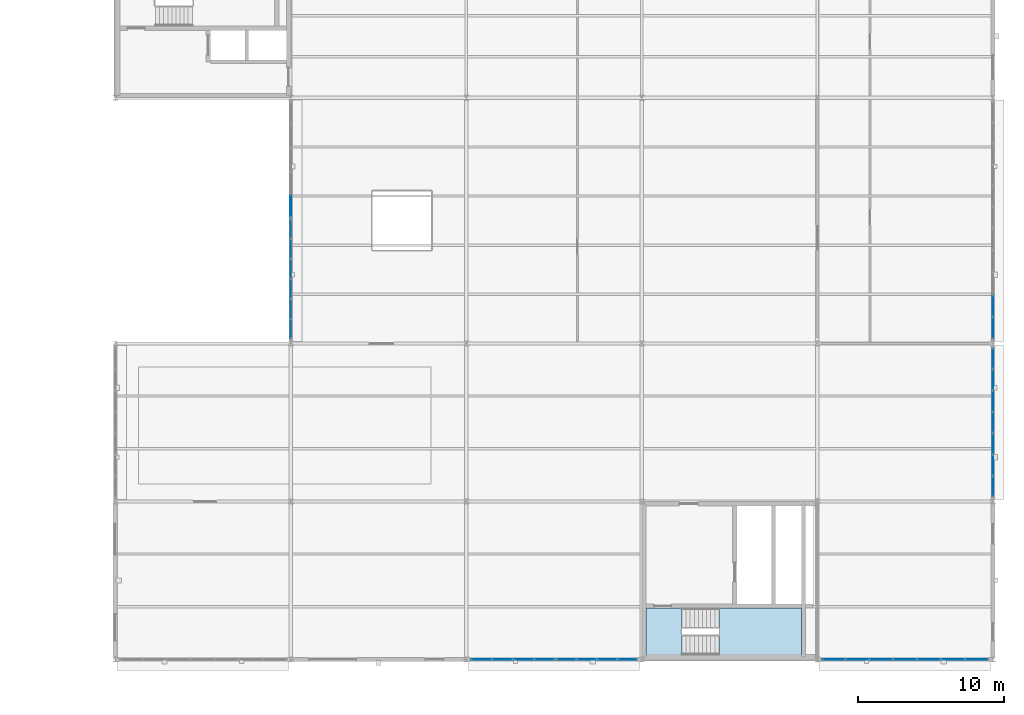
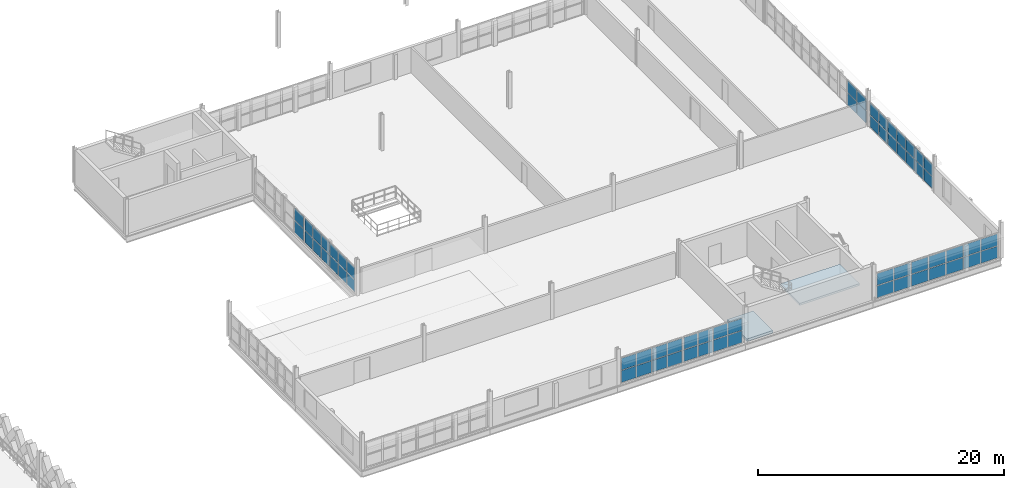
# One storey, part 51 of 79: 62 plates, 2 slabs, 8 elements without a shape of their own.
"""IFC4 building model written with IfcOpenShell, lengths in metres."""

from ifc_helpers import new_model, si_unit, direction, frame, origin, origin_2d, place, context, subcontext, project, spatial, polyline, rectangle, outline, extrude, material, layer, layer_set, type_object, element, aggregate, save


model = new_model("IFC4")

# Units and contexts
model_context = context("Model", 3, precision=1e-05, world=origin(), true_north=direction((0.0, 1.0)))
body_context = subcontext(model_context, "Body", "Model", "MODEL_VIEW")
ifc_project = project(units=[si_unit("LENGTHUNIT", "METRE"), si_unit("AREAUNIT", "SQUARE_METRE"), si_unit("VOLUMEUNIT", "CUBIC_METRE"), si_unit("PLANEANGLEUNIT", "RADIAN"), si_unit("MASSUNIT", "GRAM", prefix="KILO"), si_unit("THERMODYNAMICTEMPERATUREUNIT", "KELVIN"), si_unit("POWERUNIT", "WATT")], contexts=[model_context])

# Site, building, storey
site_placement = place(None, origin())
site = spatial("IfcSite", under=ifc_project, at=site_placement, CompositionType="ELEMENT")
building_placement = place(site_placement, origin())
building = spatial("IfcBuilding", under=site, at=building_placement, Name="Tembeka Court Mobility Hub", CompositionType="ELEMENT")
storey_placement = place(building_placement, frame((0.0, 0.0, 9.0)))
storey = spatial("IfcBuildingStorey", under=building, at=storey_placement, Name="L02", CompositionType="ELEMENT", Elevation=9.0)

# Curtain wall, plates
ifc_material_1 = material(Name="Anodised aluminium 6063-T6", Category="aluminium")
ifc_layer_1 = layer(ifc_material_1, 0.159912109375)
ifc_layer_set_1 = layer_set([ifc_layer_1], Name="Anodised aluminium 6063-T6")
curtain_wall_type_1 = type_object("IfcCurtainWallType", Name="CW-SYS50", PredefinedType="USERDEFINED", material=ifc_layer_set_1)
curtain_wall_1_placement = place(storey_placement, origin())
curtain_wall_1 = element("IfcCurtainWall", 1, at=curtain_wall_1_placement, inside=storey, type_object=curtain_wall_type_1, Name="Unitised curtain wall CW50 (CW-L02-121)", ObjectType="UNITISED GLAZING", PredefinedType="USERDEFINED")
ifc_material_2 = material(Name="Laminated solar-control low-E glass", Category="glass")
ifc_layer_2 = layer(ifc_material_2, 0.028076171875)
ifc_layer_set_2 = layer_set([ifc_layer_2], Name="Laminated solar-control low-E glass")
plate_type_1 = type_object("IfcPlateType", Name="PL-CW01", PredefinedType="CURTAIN_PANEL", material=ifc_layer_set_2)
plate_1_placement = place(storey_placement, frame((147.253662109375, 0.0, 0.06494140625), z_axis=(0.0, 0.0, 1.0), x_axis=(1.0, 0.0, 0.0)))
plate_1 = element("IfcPlate", 2, at=plate_1_placement, type_object=plate_type_1, Name="CW50 panel 1.1", PredefinedType="CURTAIN_PANEL", context=body_context, shape_type="SweptSolid", body=[
    extrude(rectangle(XDim=1.297607421875, YDim=0.028076171875, at=origin_2d()), origin(), (0.0, 0.0, 1.0), 1.169921875),
])
plate_2_placement = place(storey_placement, frame((147.253662109375, 0.0, 1.300048828125), z_axis=(0.0, 0.0, 1.0), x_axis=(1.0, 0.0, 0.0)))
plate_2 = element("IfcPlate", 3, at=plate_2_placement, type_object=plate_type_1, Name="CW50 panel 1.2", PredefinedType="CURTAIN_PANEL", context=body_context, shape_type="SweptSolid", body=[
    extrude(rectangle(XDim=1.297607421875, YDim=0.028076171875, at=origin_2d()), origin(), (0.0, 0.0, 1.0), 1.169921875),
])
plate_3_placement = place(storey_placement, frame((148.632568359375, 0.0, 0.06494140625), z_axis=(0.0, 0.0, 1.0), x_axis=(1.0, 0.0, 0.0)))
plate_3 = element("IfcPlate", 4, at=plate_3_placement, type_object=plate_type_1, Name="CW50 panel 2.1", PredefinedType="CURTAIN_PANEL", context=body_context, shape_type="SweptSolid", body=[
    extrude(rectangle(XDim=1.330078125, YDim=0.028076171875, at=origin_2d()), origin(), (0.0, 0.0, 1.0), 1.169921875),
])
plate_4_placement = place(storey_placement, frame((148.632568359375, 0.0, 1.300048828125), z_axis=(0.0, 0.0, 1.0), x_axis=(1.0, 0.0, 0.0)))
plate_4 = element("IfcPlate", 5, at=plate_4_placement, type_object=plate_type_1, Name="CW50 panel 2.2", PredefinedType="CURTAIN_PANEL", context=body_context, shape_type="SweptSolid", body=[
    extrude(rectangle(XDim=1.330078125, YDim=0.028076171875, at=origin_2d()), origin(), (0.0, 0.0, 1.0), 1.169921875),
])
plate_5_placement = place(storey_placement, frame((150.027587890625, 0.0, 0.06494140625), z_axis=(0.0, 0.0, 1.0), x_axis=(1.0, 0.0, 0.0)))
plate_5 = element("IfcPlate", 6, at=plate_5_placement, type_object=plate_type_1, Name="CW50 panel 3.1", PredefinedType="CURTAIN_PANEL", context=body_context, shape_type="SweptSolid", body=[
    extrude(rectangle(XDim=1.330078125, YDim=0.028076171875, at=origin_2d()), origin(), (0.0, 0.0, 1.0), 1.169921875),
])
plate_6_placement = place(storey_placement, frame((150.027587890625, 0.0, 1.300048828125), z_axis=(0.0, 0.0, 1.0), x_axis=(1.0, 0.0, 0.0)))
plate_6 = element("IfcPlate", 7, at=plate_6_placement, type_object=plate_type_1, Name="CW50 panel 3.2", PredefinedType="CURTAIN_PANEL", context=body_context, shape_type="SweptSolid", body=[
    extrude(rectangle(XDim=1.330078125, YDim=0.028076171875, at=origin_2d()), origin(), (0.0, 0.0, 1.0), 1.169921875),
])
plate_7_placement = place(storey_placement, frame((151.40625, 0.0, 0.06494140625), z_axis=(0.0, 0.0, 1.0), x_axis=(1.0, 0.0, 0.0)))
plate_7 = element("IfcPlate", 8, at=plate_7_placement, type_object=plate_type_1, Name="CW50 panel 4.1", PredefinedType="CURTAIN_PANEL", context=body_context, shape_type="SweptSolid", body=[
    extrude(rectangle(XDim=1.297607421875, YDim=0.028076171875, at=origin_2d()), origin(), (0.0, 0.0, 1.0), 1.169921875),
])
plate_8_placement = place(storey_placement, frame((151.40625, 0.0, 1.300048828125), z_axis=(0.0, 0.0, 1.0), x_axis=(1.0, 0.0, 0.0)))
plate_8 = element("IfcPlate", 9, at=plate_8_placement, type_object=plate_type_1, Name="CW50 panel 4.2", PredefinedType="CURTAIN_PANEL", context=body_context, shape_type="SweptSolid", body=[
    extrude(rectangle(XDim=1.297607421875, YDim=0.028076171875, at=origin_2d()), origin(), (0.0, 0.0, 1.0), 1.169921875),
])
aggregate(curtain_wall_1, [plate_1, plate_2, plate_3, plate_4, plate_5, plate_6, plate_7, plate_8])

ifc_layer_3 = layer(ifc_material_1, 0.159912109375)
ifc_layer_set_3 = layer_set([ifc_layer_3], Name="Anodised aluminium 6063-T6")
curtain_wall_type_2 = type_object("IfcCurtainWallType", Name="CW-SYS41", PredefinedType="USERDEFINED", material=ifc_layer_set_3)
curtain_wall_2_placement = place(storey_placement, origin())
curtain_wall_2 = element("IfcCurtainWall", 10, at=curtain_wall_2_placement, inside=storey, type_object=curtain_wall_type_2, Name="Unitised curtain wall CW41 (CW-L02-122)", ObjectType="UNITISED GLAZING", PredefinedType="USERDEFINED")
plate_9_placement = place(storey_placement, frame((165.513427734375, 0.0, 0.06494140625), z_axis=(0.0, 0.0, 1.0), x_axis=(1.0, 0.0, 0.0)))
plate_9 = element("IfcPlate", 11, at=plate_9_placement, type_object=plate_type_1, Name="CW41 panel 1.1", PredefinedType="CURTAIN_PANEL", context=body_context, shape_type="SweptSolid", body=[
    extrude(rectangle(XDim=1.536865234375, YDim=0.028076171875, at=origin_2d()), origin(), (0.0, 0.0, 1.0), 1.169921875),
])
plate_10_placement = place(storey_placement, frame((165.513427734375, 0.0, 1.300048828125), z_axis=(0.0, 0.0, 1.0), x_axis=(1.0, 0.0, 0.0)))
plate_10 = element("IfcPlate", 12, at=plate_10_placement, type_object=plate_type_1, Name="CW41 panel 1.2", PredefinedType="CURTAIN_PANEL", context=body_context, shape_type="SweptSolid", body=[
    extrude(rectangle(XDim=1.536865234375, YDim=0.028076171875, at=origin_2d()), origin(), (0.0, 0.0, 1.0), 1.169921875),
])
plate_11_placement = place(storey_placement, frame((167.13134765625, 0.0, 0.06494140625), z_axis=(0.0, 0.0, 1.0), x_axis=(1.0, 0.0, 0.0)))
plate_11 = element("IfcPlate", 13, at=plate_11_placement, type_object=plate_type_1, Name="CW41 panel 2.1", PredefinedType="CURTAIN_PANEL", context=body_context, shape_type="SweptSolid", body=[
    extrude(rectangle(XDim=1.5693359375, YDim=0.028076171875, at=origin_2d()), origin(), (0.0, 0.0, 1.0), 1.169921875),
])
plate_12_placement = place(storey_placement, frame((167.13134765625, 0.0, 1.300048828125), z_axis=(0.0, 0.0, 1.0), x_axis=(1.0, 0.0, 0.0)))
plate_12 = element("IfcPlate", 14, at=plate_12_placement, type_object=plate_type_1, Name="CW41 panel 2.2", PredefinedType="CURTAIN_PANEL", context=body_context, shape_type="SweptSolid", body=[
    extrude(rectangle(XDim=1.5693359375, YDim=0.028076171875, at=origin_2d()), origin(), (0.0, 0.0, 1.0), 1.169921875),
])
plate_13_placement = place(storey_placement, frame((168.765625, 0.0, 0.06494140625), z_axis=(0.0, 0.0, 1.0), x_axis=(1.0, 0.0, 0.0)))
plate_13 = element("IfcPlate", 15, at=plate_13_placement, type_object=plate_type_1, Name="CW41 panel 3.1", PredefinedType="CURTAIN_PANEL", context=body_context, shape_type="SweptSolid", body=[
    extrude(rectangle(XDim=1.5693359375, YDim=0.028076171875, at=origin_2d()), origin(), (0.0, 0.0, 1.0), 1.169921875),
])
plate_14_placement = place(storey_placement, frame((168.765625, 0.0, 1.300048828125), z_axis=(0.0, 0.0, 1.0), x_axis=(1.0, 0.0, 0.0)))
plate_14 = element("IfcPlate", 16, at=plate_14_placement, type_object=plate_type_1, Name="CW41 panel 3.2", PredefinedType="CURTAIN_PANEL", context=body_context, shape_type="SweptSolid", body=[
    extrude(rectangle(XDim=1.5693359375, YDim=0.028076171875, at=origin_2d()), origin(), (0.0, 0.0, 1.0), 1.169921875),
])
plate_15_placement = place(storey_placement, frame((170.39990234375, 0.0, 0.06494140625), z_axis=(0.0, 0.0, 1.0), x_axis=(1.0, 0.0, 0.0)))
plate_15 = element("IfcPlate", 17, at=plate_15_placement, type_object=plate_type_1, Name="CW41 panel 4.1", PredefinedType="CURTAIN_PANEL", context=body_context, shape_type="SweptSolid", body=[
    extrude(rectangle(XDim=1.5693359375, YDim=0.028076171875, at=origin_2d()), origin(), (0.0, 0.0, 1.0), 1.169921875),
])
plate_16_placement = place(storey_placement, frame((170.39990234375, 0.0, 1.300048828125), z_axis=(0.0, 0.0, 1.0), x_axis=(1.0, 0.0, 0.0)))
plate_16 = element("IfcPlate", 18, at=plate_16_placement, type_object=plate_type_1, Name="CW41 panel 4.2", PredefinedType="CURTAIN_PANEL", context=body_context, shape_type="SweptSolid", body=[
    extrude(rectangle(XDim=1.5693359375, YDim=0.028076171875, at=origin_2d()), origin(), (0.0, 0.0, 1.0), 1.169921875),
])
plate_17_placement = place(storey_placement, frame((172.0341796875, 0.0, 0.06494140625), z_axis=(0.0, 0.0, 1.0), x_axis=(1.0, 0.0, 0.0)))
plate_17 = element("IfcPlate", 19, at=plate_17_placement, type_object=plate_type_1, Name="CW41 panel 5.1", PredefinedType="CURTAIN_PANEL", context=body_context, shape_type="SweptSolid", body=[
    extrude(rectangle(XDim=1.5693359375, YDim=0.028076171875, at=origin_2d()), origin(), (0.0, 0.0, 1.0), 1.169921875),
])
plate_18_placement = place(storey_placement, frame((172.0341796875, 0.0, 1.300048828125), z_axis=(0.0, 0.0, 1.0), x_axis=(1.0, 0.0, 0.0)))
plate_18 = element("IfcPlate", 20, at=plate_18_placement, type_object=plate_type_1, Name="CW41 panel 5.2", PredefinedType="CURTAIN_PANEL", context=body_context, shape_type="SweptSolid", body=[
    extrude(rectangle(XDim=1.5693359375, YDim=0.028076171875, at=origin_2d()), origin(), (0.0, 0.0, 1.0), 1.169921875),
])
plate_19_placement = place(storey_placement, frame((173.66845703125, 0.0, 0.06494140625), z_axis=(0.0, 0.0, 1.0), x_axis=(1.0, 0.0, 0.0)))
plate_19 = element("IfcPlate", 21, at=plate_19_placement, type_object=plate_type_1, Name="CW41 panel 6.1", PredefinedType="CURTAIN_PANEL", context=body_context, shape_type="SweptSolid", body=[
    extrude(rectangle(XDim=1.5693359375, YDim=0.028076171875, at=origin_2d()), origin(), (0.0, 0.0, 1.0), 1.169921875),
])
plate_20_placement = place(storey_placement, frame((173.66845703125, 0.0, 1.300048828125), z_axis=(0.0, 0.0, 1.0), x_axis=(1.0, 0.0, 0.0)))
plate_20 = element("IfcPlate", 22, at=plate_20_placement, type_object=plate_type_1, Name="CW41 panel 6.2", PredefinedType="CURTAIN_PANEL", context=body_context, shape_type="SweptSolid", body=[
    extrude(rectangle(XDim=1.5693359375, YDim=0.028076171875, at=origin_2d()), origin(), (0.0, 0.0, 1.0), 1.169921875),
])
plate_21_placement = place(storey_placement, frame((175.28662109375, 0.0, 0.06494140625), z_axis=(0.0, 0.0, 1.0), x_axis=(1.0, 0.0, 0.0)))
plate_21 = element("IfcPlate", 23, at=plate_21_placement, type_object=plate_type_1, Name="CW41 panel 7.1", PredefinedType="CURTAIN_PANEL", context=body_context, shape_type="SweptSolid", body=[
    extrude(rectangle(XDim=1.536865234375, YDim=0.028076171875, at=origin_2d()), origin(), (0.0, 0.0, 1.0), 1.169921875),
])
plate_22_placement = place(storey_placement, frame((175.28662109375, 0.0, 1.300048828125), z_axis=(0.0, 0.0, 1.0), x_axis=(1.0, 0.0, 0.0)))
plate_22 = element("IfcPlate", 24, at=plate_22_placement, type_object=plate_type_1, Name="CW41 panel 7.2", PredefinedType="CURTAIN_PANEL", context=body_context, shape_type="SweptSolid", body=[
    extrude(rectangle(XDim=1.536865234375, YDim=0.028076171875, at=origin_2d()), origin(), (0.0, 0.0, 1.0), 1.169921875),
])
aggregate(curtain_wall_2, [plate_9, plate_10, plate_11, plate_12, plate_13, plate_14, plate_15, plate_16, plate_17, plate_18, plate_19, plate_20, plate_21, plate_22])

ifc_layer_4 = layer(ifc_material_1, 0.159912109375)
ifc_layer_set_4 = layer_set([ifc_layer_4], Name="Anodised aluminium 6063-T6")
curtain_wall_type_3 = type_object("IfcCurtainWallType", Name="CW-SYS42", PredefinedType="USERDEFINED", material=ifc_layer_set_4)
curtain_wall_3_placement = place(storey_placement, origin())
curtain_wall_3 = element("IfcCurtainWall", 25, at=curtain_wall_3_placement, inside=storey, type_object=curtain_wall_type_3, Name="Unitised curtain wall CW42 (CW-L02-123)", ObjectType="UNITISED GLAZING", PredefinedType="USERDEFINED")
plate_23_placement = place(storey_placement, frame((176.39990234375, 11.82763671875, 0.06494140625), z_axis=(0.0, 0.0, 1.0), x_axis=(0.0, 1.0, 0.0)))
plate_23 = element("IfcPlate", 26, at=plate_23_placement, type_object=plate_type_1, Name="CW42 panel 1.1", PredefinedType="CURTAIN_PANEL", context=body_context, shape_type="SweptSolid", body=[
    extrude(rectangle(XDim=1.365478515625, YDim=0.028076171875, at=origin_2d()), origin(), (0.0, 0.0, 1.0), 1.169921875),
])
plate_24_placement = place(storey_placement, frame((176.39990234375, 11.82763671875, 1.300048828125), z_axis=(0.0, 0.0, 1.0), x_axis=(0.0, 1.0, 0.0)))
plate_24 = element("IfcPlate", 27, at=plate_24_placement, type_object=plate_type_1, Name="CW42 panel 1.2", PredefinedType="CURTAIN_PANEL", context=body_context, shape_type="SweptSolid", body=[
    extrude(rectangle(XDim=1.365478515625, YDim=0.028076171875, at=origin_2d()), origin(), (0.0, 0.0, 1.0), 1.169921875),
])
plate_25_placement = place(storey_placement, frame((176.39990234375, 13.274169921875, 0.06494140625), z_axis=(0.0, 0.0, 1.0), x_axis=(0.0, 1.0, 0.0)))
plate_25 = element("IfcPlate", 28, at=plate_25_placement, type_object=plate_type_1, Name="CW42 panel 2.1", PredefinedType="CURTAIN_PANEL", context=body_context, shape_type="SweptSolid", body=[
    extrude(rectangle(XDim=1.39794921875, YDim=0.028076171875, at=origin_2d()), origin(), (0.0, 0.0, 1.0), 1.169921875),
])
plate_26_placement = place(storey_placement, frame((176.39990234375, 13.274169921875, 1.300048828125), z_axis=(0.0, 0.0, 1.0), x_axis=(0.0, 1.0, 0.0)))
plate_26 = element("IfcPlate", 29, at=plate_26_placement, type_object=plate_type_1, Name="CW42 panel 2.2", PredefinedType="CURTAIN_PANEL", context=body_context, shape_type="SweptSolid", body=[
    extrude(rectangle(XDim=1.39794921875, YDim=0.028076171875, at=origin_2d()), origin(), (0.0, 0.0, 1.0), 1.169921875),
])
plate_27_placement = place(storey_placement, frame((176.39990234375, 14.737060546875, 0.06494140625), z_axis=(0.0, 0.0, 1.0), x_axis=(0.0, 1.0, 0.0)))
plate_27 = element("IfcPlate", 30, at=plate_27_placement, type_object=plate_type_1, Name="CW42 panel 3.1", PredefinedType="CURTAIN_PANEL", context=body_context, shape_type="SweptSolid", body=[
    extrude(rectangle(XDim=1.39794921875, YDim=0.028076171875, at=origin_2d()), origin(), (0.0, 0.0, 1.0), 1.169921875),
])
plate_28_placement = place(storey_placement, frame((176.39990234375, 14.737060546875, 1.300048828125), z_axis=(0.0, 0.0, 1.0), x_axis=(0.0, 1.0, 0.0)))
plate_28 = element("IfcPlate", 31, at=plate_28_placement, type_object=plate_type_1, Name="CW42 panel 3.2", PredefinedType="CURTAIN_PANEL", context=body_context, shape_type="SweptSolid", body=[
    extrude(rectangle(XDim=1.39794921875, YDim=0.028076171875, at=origin_2d()), origin(), (0.0, 0.0, 1.0), 1.169921875),
])
plate_29_placement = place(storey_placement, frame((176.39990234375, 16.199951171875, 0.06494140625), z_axis=(0.0, 0.0, 1.0), x_axis=(0.0, 1.0, 0.0)))
plate_29 = element("IfcPlate", 32, at=plate_29_placement, type_object=plate_type_1, Name="CW42 panel 4.1", PredefinedType="CURTAIN_PANEL", context=body_context, shape_type="SweptSolid", body=[
    extrude(rectangle(XDim=1.39794921875, YDim=0.028076171875, at=origin_2d()), origin(), (0.0, 0.0, 1.0), 1.169921875),
])
plate_30_placement = place(storey_placement, frame((176.39990234375, 16.199951171875, 1.300048828125), z_axis=(0.0, 0.0, 1.0), x_axis=(0.0, 1.0, 0.0)))
plate_30 = element("IfcPlate", 33, at=plate_30_placement, type_object=plate_type_1, Name="CW42 panel 4.2", PredefinedType="CURTAIN_PANEL", context=body_context, shape_type="SweptSolid", body=[
    extrude(rectangle(XDim=1.39794921875, YDim=0.028076171875, at=origin_2d()), origin(), (0.0, 0.0, 1.0), 1.169921875),
])
plate_31_placement = place(storey_placement, frame((176.39990234375, 17.662841796875, 0.06494140625), z_axis=(0.0, 0.0, 1.0), x_axis=(0.0, 1.0, 0.0)))
plate_31 = element("IfcPlate", 34, at=plate_31_placement, type_object=plate_type_1, Name="CW42 panel 5.1", PredefinedType="CURTAIN_PANEL", context=body_context, shape_type="SweptSolid", body=[
    extrude(rectangle(XDim=1.39794921875, YDim=0.028076171875, at=origin_2d()), origin(), (0.0, 0.0, 1.0), 1.169921875),
])
plate_32_placement = place(storey_placement, frame((176.39990234375, 17.662841796875, 1.300048828125), z_axis=(0.0, 0.0, 1.0), x_axis=(0.0, 1.0, 0.0)))
plate_32 = element("IfcPlate", 35, at=plate_32_placement, type_object=plate_type_1, Name="CW42 panel 5.2", PredefinedType="CURTAIN_PANEL", context=body_context, shape_type="SweptSolid", body=[
    extrude(rectangle(XDim=1.39794921875, YDim=0.028076171875, at=origin_2d()), origin(), (0.0, 0.0, 1.0), 1.169921875),
])
plate_33_placement = place(storey_placement, frame((176.39990234375, 19.125732421875, 0.06494140625), z_axis=(0.0, 0.0, 1.0), x_axis=(0.0, 1.0, 0.0)))
plate_33 = element("IfcPlate", 36, at=plate_33_placement, type_object=plate_type_1, Name="CW42 panel 6.1", PredefinedType="CURTAIN_PANEL", context=body_context, shape_type="SweptSolid", body=[
    extrude(rectangle(XDim=1.39794921875, YDim=0.028076171875, at=origin_2d()), origin(), (0.0, 0.0, 1.0), 1.169921875),
])
plate_34_placement = place(storey_placement, frame((176.39990234375, 19.125732421875, 1.300048828125), z_axis=(0.0, 0.0, 1.0), x_axis=(0.0, 1.0, 0.0)))
plate_34 = element("IfcPlate", 37, at=plate_34_placement, type_object=plate_type_1, Name="CW42 panel 6.2", PredefinedType="CURTAIN_PANEL", context=body_context, shape_type="SweptSolid", body=[
    extrude(rectangle(XDim=1.39794921875, YDim=0.028076171875, at=origin_2d()), origin(), (0.0, 0.0, 1.0), 1.169921875),
])
plate_35_placement = place(storey_placement, frame((176.39990234375, 20.572265625, 0.06494140625), z_axis=(0.0, 0.0, 1.0), x_axis=(0.0, 1.0, 0.0)))
plate_35 = element("IfcPlate", 38, at=plate_35_placement, type_object=plate_type_1, Name="CW42 panel 7.1", PredefinedType="CURTAIN_PANEL", context=body_context, shape_type="SweptSolid", body=[
    extrude(rectangle(XDim=1.365478515625, YDim=0.028076171875, at=origin_2d()), origin(), (0.0, 0.0, 1.0), 1.169921875),
])
plate_36_placement = place(storey_placement, frame((176.39990234375, 20.572265625, 1.300048828125), z_axis=(0.0, 0.0, 1.0), x_axis=(0.0, 1.0, 0.0)))
plate_36 = element("IfcPlate", 39, at=plate_36_placement, type_object=plate_type_1, Name="CW42 panel 7.2", PredefinedType="CURTAIN_PANEL", context=body_context, shape_type="SweptSolid", body=[
    extrude(rectangle(XDim=1.365478515625, YDim=0.028076171875, at=origin_2d()), origin(), (0.0, 0.0, 1.0), 1.169921875),
])
aggregate(curtain_wall_3, [plate_23, plate_24, plate_25, plate_26, plate_27, plate_28, plate_29, plate_30, plate_31, plate_32, plate_33, plate_34, plate_35, plate_36])

ifc_layer_5 = layer(ifc_material_1, 0.159912109375)
ifc_layer_set_5 = layer_set([ifc_layer_5], Name="Anodised aluminium 6063-T6")
curtain_wall_type_4 = type_object("IfcCurtainWallType", Name="CW-SYS53", PredefinedType="USERDEFINED", material=ifc_layer_set_5)
curtain_wall_4_placement = place(storey_placement, origin())
curtain_wall_4 = element("IfcCurtainWall", 40, at=curtain_wall_4_placement, inside=storey, type_object=curtain_wall_type_4, Name="Unitised curtain wall CW53 (CW-L02-131)", ObjectType="UNITISED GLAZING", PredefinedType="USERDEFINED")
plate_37_placement = place(storey_placement, frame((128.39990234375, 22.585205078125, 0.06494140625), z_axis=(0.0, 0.0, 1.0), x_axis=(0.0, 1.0, 0.0)))
plate_37 = element("IfcPlate", 41, at=plate_37_placement, type_object=plate_type_1, Name="CW53 panel 1.1", PredefinedType="CURTAIN_PANEL", context=body_context, shape_type="SweptSolid", body=[
    extrude(rectangle(XDim=1.280517578125, YDim=0.028076171875, at=origin_2d()), origin(), (0.0, 0.0, 1.0), 1.169921875),
])
plate_38_placement = place(storey_placement, frame((128.39990234375, 22.585205078125, 1.300048828125), z_axis=(0.0, 0.0, 1.0), x_axis=(0.0, 1.0, 0.0)))
plate_38 = element("IfcPlate", 42, at=plate_38_placement, type_object=plate_type_1, Name="CW53 panel 1.2", PredefinedType="CURTAIN_PANEL", context=body_context, shape_type="SweptSolid", body=[
    extrude(rectangle(XDim=1.280517578125, YDim=0.028076171875, at=origin_2d()), origin(), (0.0, 0.0, 1.0), 1.169921875),
])
plate_39_placement = place(storey_placement, frame((128.39990234375, 23.947021484375, 0.06494140625), z_axis=(0.0, 0.0, 1.0), x_axis=(0.0, 1.0, 0.0)))
plate_39 = element("IfcPlate", 43, at=plate_39_placement, type_object=plate_type_1, Name="CW53 panel 2.1", PredefinedType="CURTAIN_PANEL", context=body_context, shape_type="SweptSolid", body=[
    extrude(rectangle(XDim=1.31298828125, YDim=0.028076171875, at=origin_2d()), origin(), (0.0, 0.0, 1.0), 1.169921875),
])
plate_40_placement = place(storey_placement, frame((128.39990234375, 23.947021484375, 1.300048828125), z_axis=(0.0, 0.0, 1.0), x_axis=(0.0, 1.0, 0.0)))
plate_40 = element("IfcPlate", 44, at=plate_40_placement, type_object=plate_type_1, Name="CW53 panel 2.2", PredefinedType="CURTAIN_PANEL", context=body_context, shape_type="SweptSolid", body=[
    extrude(rectangle(XDim=1.31298828125, YDim=0.028076171875, at=origin_2d()), origin(), (0.0, 0.0, 1.0), 1.169921875),
])
plate_41_placement = place(storey_placement, frame((128.39990234375, 25.324951171875, 0.06494140625), z_axis=(0.0, 0.0, 1.0), x_axis=(0.0, 1.0, 0.0)))
plate_41 = element("IfcPlate", 45, at=plate_41_placement, type_object=plate_type_1, Name="CW53 panel 3.1", PredefinedType="CURTAIN_PANEL", context=body_context, shape_type="SweptSolid", body=[
    extrude(rectangle(XDim=1.31298828125, YDim=0.028076171875, at=origin_2d()), origin(), (0.0, 0.0, 1.0), 1.169921875),
])
plate_42_placement = place(storey_placement, frame((128.39990234375, 25.324951171875, 1.300048828125), z_axis=(0.0, 0.0, 1.0), x_axis=(0.0, 1.0, 0.0)))
plate_42 = element("IfcPlate", 46, at=plate_42_placement, type_object=plate_type_1, Name="CW53 panel 3.2", PredefinedType="CURTAIN_PANEL", context=body_context, shape_type="SweptSolid", body=[
    extrude(rectangle(XDim=1.31298828125, YDim=0.028076171875, at=origin_2d()), origin(), (0.0, 0.0, 1.0), 1.169921875),
])
plate_43_placement = place(storey_placement, frame((128.39990234375, 26.702880859375, 0.06494140625), z_axis=(0.0, 0.0, 1.0), x_axis=(0.0, 1.0, 0.0)))
plate_43 = element("IfcPlate", 47, at=plate_43_placement, type_object=plate_type_1, Name="CW53 panel 4.1", PredefinedType="CURTAIN_PANEL", context=body_context, shape_type="SweptSolid", body=[
    extrude(rectangle(XDim=1.31298828125, YDim=0.028076171875, at=origin_2d()), origin(), (0.0, 0.0, 1.0), 1.169921875),
])
plate_44_placement = place(storey_placement, frame((128.39990234375, 26.702880859375, 1.300048828125), z_axis=(0.0, 0.0, 1.0), x_axis=(0.0, 1.0, 0.0)))
plate_44 = element("IfcPlate", 48, at=plate_44_placement, type_object=plate_type_1, Name="CW53 panel 4.2", PredefinedType="CURTAIN_PANEL", context=body_context, shape_type="SweptSolid", body=[
    extrude(rectangle(XDim=1.31298828125, YDim=0.028076171875, at=origin_2d()), origin(), (0.0, 0.0, 1.0), 1.169921875),
])
plate_45_placement = place(storey_placement, frame((128.39990234375, 28.0810546875, 0.06494140625), z_axis=(0.0, 0.0, 1.0), x_axis=(0.0, 1.0, 0.0)))
plate_45 = element("IfcPlate", 49, at=plate_45_placement, type_object=plate_type_1, Name="CW53 panel 5.1", PredefinedType="CURTAIN_PANEL", context=body_context, shape_type="SweptSolid", body=[
    extrude(rectangle(XDim=1.31298828125, YDim=0.028076171875, at=origin_2d()), origin(), (0.0, 0.0, 1.0), 1.169921875),
])
plate_46_placement = place(storey_placement, frame((128.39990234375, 28.0810546875, 1.300048828125), z_axis=(0.0, 0.0, 1.0), x_axis=(0.0, 1.0, 0.0)))
plate_46 = element("IfcPlate", 50, at=plate_46_placement, type_object=plate_type_1, Name="CW53 panel 5.2", PredefinedType="CURTAIN_PANEL", context=body_context, shape_type="SweptSolid", body=[
    extrude(rectangle(XDim=1.31298828125, YDim=0.028076171875, at=origin_2d()), origin(), (0.0, 0.0, 1.0), 1.169921875),
])
plate_47_placement = place(storey_placement, frame((128.39990234375, 29.44287109375, 0.06494140625), z_axis=(0.0, 0.0, 1.0), x_axis=(0.0, 1.0, 0.0)))
plate_47 = element("IfcPlate", 51, at=plate_47_placement, type_object=plate_type_1, Name="CW53 panel 6.1", PredefinedType="CURTAIN_PANEL", context=body_context, shape_type="SweptSolid", body=[
    extrude(rectangle(XDim=1.280517578125, YDim=0.028076171875, at=origin_2d()), origin(), (0.0, 0.0, 1.0), 1.169921875),
])
plate_48_placement = place(storey_placement, frame((128.39990234375, 29.44287109375, 1.300048828125), z_axis=(0.0, 0.0, 1.0), x_axis=(0.0, 1.0, 0.0)))
plate_48 = element("IfcPlate", 52, at=plate_48_placement, type_object=plate_type_1, Name="CW53 panel 6.2", PredefinedType="CURTAIN_PANEL", context=body_context, shape_type="SweptSolid", body=[
    extrude(rectangle(XDim=1.280517578125, YDim=0.028076171875, at=origin_2d()), origin(), (0.0, 0.0, 1.0), 1.169921875),
])
aggregate(curtain_wall_4, [plate_37, plate_38, plate_39, plate_40, plate_41, plate_42, plate_43, plate_44, plate_45, plate_46, plate_47, plate_48])

ifc_layer_6 = layer(ifc_material_1, 0.159912109375)
ifc_layer_set_6 = layer_set([ifc_layer_6], Name="Anodised aluminium 6063-T6")
curtain_wall_type_5 = type_object("IfcCurtainWallType", Name="CW-SYS49", PredefinedType="USERDEFINED", material=ifc_layer_set_6)
curtain_wall_5_placement = place(storey_placement, origin())
curtain_wall_5 = element("IfcCurtainWall", 53, at=curtain_wall_5_placement, inside=storey, type_object=curtain_wall_type_5, Name="Unitised curtain wall CW49 (CW-L02-120)", ObjectType="UNITISED GLAZING", PredefinedType="USERDEFINED")
ifc_material_3 = material(Name="Insulated aluminium spandrel panel", Category="aluminium")
ifc_layer_7 = layer(ifc_material_3, 0.052001953125)
ifc_layer_set_7 = layer_set([ifc_layer_7], Name="Insulated aluminium spandrel panel")
plate_type_2 = type_object("IfcPlateType", Name="PL-CW02", PredefinedType="CURTAIN_PANEL", material=ifc_layer_set_7)
plate_49_placement = place(storey_placement, frame((141.423828125, 0.0, 0.06494140625), z_axis=(0.0, 0.0, 1.0), x_axis=(1.0, 0.0, 0.0)))
plate_49 = element("IfcPlate", 54, at=plate_49_placement, type_object=plate_type_2, Name="CW49 panel 1.1", PredefinedType="CURTAIN_PANEL", context=body_context, shape_type="SweptSolid", body=[
    extrude(rectangle(XDim=1.357421875, YDim=0.052001953125, at=origin_2d()), origin(), (0.0, 0.0, 1.0), 1.169921875),
])
plate_50_placement = place(storey_placement, frame((141.423828125, 0.0, 1.300048828125), z_axis=(0.0, 0.0, 1.0), x_axis=(1.0, 0.0, 0.0)))
plate_50 = element("IfcPlate", 55, at=plate_50_placement, type_object=plate_type_2, Name="CW49 panel 1.2", PredefinedType="CURTAIN_PANEL", context=body_context, shape_type="SweptSolid", body=[
    extrude(rectangle(XDim=1.357421875, YDim=0.052001953125, at=origin_2d()), origin(), (0.0, 0.0, 1.0), 1.169921875),
])
plate_51_placement = place(storey_placement, frame((142.862548828125, 0.0, 0.06494140625), z_axis=(0.0, 0.0, 1.0), x_axis=(1.0, 0.0, 0.0)))
plate_51 = element("IfcPlate", 56, at=plate_51_placement, type_object=plate_type_2, Name="CW49 panel 2.1", PredefinedType="CURTAIN_PANEL", context=body_context, shape_type="SweptSolid", body=[
    extrude(rectangle(XDim=1.389892578125, YDim=0.052001953125, at=origin_2d()), origin(), (0.0, 0.0, 1.0), 1.169921875),
])
plate_52_placement = place(storey_placement, frame((142.862548828125, 0.0, 1.300048828125), z_axis=(0.0, 0.0, 1.0), x_axis=(1.0, 0.0, 0.0)))
plate_52 = element("IfcPlate", 57, at=plate_52_placement, type_object=plate_type_2, Name="CW49 panel 2.2", PredefinedType="CURTAIN_PANEL", context=body_context, shape_type="SweptSolid", body=[
    extrude(rectangle(XDim=1.389892578125, YDim=0.052001953125, at=origin_2d()), origin(), (0.0, 0.0, 1.0), 1.169921875),
])
plate_53_placement = place(storey_placement, frame((144.3173828125, 0.0, 0.06494140625), z_axis=(0.0, 0.0, 1.0), x_axis=(1.0, 0.0, 0.0)))
plate_53 = element("IfcPlate", 58, at=plate_53_placement, type_object=plate_type_2, Name="CW49 panel 3.1", PredefinedType="CURTAIN_PANEL", context=body_context, shape_type="SweptSolid", body=[
    extrude(rectangle(XDim=1.389892578125, YDim=0.052001953125, at=origin_2d()), origin(), (0.0, 0.0, 1.0), 1.169921875),
])
plate_54_placement = place(storey_placement, frame((144.3173828125, 0.0, 1.300048828125), z_axis=(0.0, 0.0, 1.0), x_axis=(1.0, 0.0, 0.0)))
plate_54 = element("IfcPlate", 59, at=plate_54_placement, type_object=plate_type_2, Name="CW49 panel 3.2", PredefinedType="CURTAIN_PANEL", context=body_context, shape_type="SweptSolid", body=[
    extrude(rectangle(XDim=1.389892578125, YDim=0.052001953125, at=origin_2d()), origin(), (0.0, 0.0, 1.0), 1.169921875),
])
plate_55_placement = place(storey_placement, frame((145.75634765625, 0.0, 0.06494140625), z_axis=(0.0, 0.0, 1.0), x_axis=(1.0, 0.0, 0.0)))
plate_55 = element("IfcPlate", 60, at=plate_55_placement, type_object=plate_type_2, Name="CW49 panel 4.1", PredefinedType="CURTAIN_PANEL", context=body_context, shape_type="SweptSolid", body=[
    extrude(rectangle(XDim=1.357421875, YDim=0.052001953125, at=origin_2d()), origin(), (0.0, 0.0, 1.0), 1.169921875),
])
plate_56_placement = place(storey_placement, frame((145.75634765625, 0.0, 1.300048828125), z_axis=(0.0, 0.0, 1.0), x_axis=(1.0, 0.0, 0.0)))
plate_56 = element("IfcPlate", 61, at=plate_56_placement, type_object=plate_type_2, Name="CW49 panel 4.2", PredefinedType="CURTAIN_PANEL", context=body_context, shape_type="SweptSolid", body=[
    extrude(rectangle(XDim=1.357421875, YDim=0.052001953125, at=origin_2d()), origin(), (0.0, 0.0, 1.0), 1.169921875),
])
aggregate(curtain_wall_5, [plate_49, plate_50, plate_51, plate_52, plate_53, plate_54, plate_55, plate_56])

ifc_layer_8 = layer(ifc_material_1, 0.159912109375)
ifc_layer_set_8 = layer_set([ifc_layer_8], Name="Anodised aluminium 6063-T6")
curtain_wall_type_6 = type_object("IfcCurtainWallType", Name="CW-SYS51", PredefinedType="USERDEFINED", material=ifc_layer_set_8)
curtain_wall_6_placement = place(storey_placement, origin())
curtain_wall_6 = element("IfcCurtainWall", 62, at=curtain_wall_6_placement, inside=storey, type_object=curtain_wall_type_6, Name="Unitised curtain wall CW51 (CW-L02-124)", ObjectType="UNITISED GLAZING", PredefinedType="USERDEFINED")
plate_57_placement = place(storey_placement, frame((176.39990234375, 22.65576171875, 0.06494140625), z_axis=(0.0, 0.0, 1.0), x_axis=(0.0, 1.0, 0.0)))
plate_57 = element("IfcPlate", 63, at=plate_57_placement, type_object=plate_type_2, Name="CW51 panel 1.1", PredefinedType="CURTAIN_PANEL", context=body_context, shape_type="SweptSolid", body=[
    extrude(rectangle(XDim=1.421630859375, YDim=0.052001953125, at=origin_2d()), origin(), (0.0, 0.0, 1.0), 1.169921875),
])
plate_58_placement = place(storey_placement, frame((176.39990234375, 22.65576171875, 1.300048828125), z_axis=(0.0, 0.0, 1.0), x_axis=(0.0, 1.0, 0.0)))
plate_58 = element("IfcPlate", 64, at=plate_58_placement, type_object=plate_type_2, Name="CW51 panel 1.2", PredefinedType="CURTAIN_PANEL", context=body_context, shape_type="SweptSolid", body=[
    extrude(rectangle(XDim=1.421630859375, YDim=0.052001953125, at=origin_2d()), origin(), (0.0, 0.0, 1.0), 1.169921875),
])
plate_59_placement = place(storey_placement, frame((176.39990234375, 24.15869140625, 0.06494140625), z_axis=(0.0, 0.0, 1.0), x_axis=(0.0, 1.0, 0.0)))
plate_59 = element("IfcPlate", 65, at=plate_59_placement, type_object=plate_type_2, Name="CW51 panel 2.1", PredefinedType="CURTAIN_PANEL", context=body_context, shape_type="SweptSolid", body=[
    extrude(rectangle(XDim=1.4541015625, YDim=0.052001953125, at=origin_2d()), origin(), (0.0, 0.0, 1.0), 1.169921875),
])
plate_60_placement = place(storey_placement, frame((176.39990234375, 24.15869140625, 1.300048828125), z_axis=(0.0, 0.0, 1.0), x_axis=(0.0, 1.0, 0.0)))
plate_60 = element("IfcPlate", 66, at=plate_60_placement, type_object=plate_type_2, Name="CW51 panel 2.2", PredefinedType="CURTAIN_PANEL", context=body_context, shape_type="SweptSolid", body=[
    extrude(rectangle(XDim=1.4541015625, YDim=0.052001953125, at=origin_2d()), origin(), (0.0, 0.0, 1.0), 1.169921875),
])
aggregate(curtain_wall_6, [plate_57, plate_58, plate_59, plate_60])

ifc_layer_9 = layer(ifc_material_1, 0.159912109375)
ifc_layer_set_9 = layer_set([ifc_layer_9], Name="Anodised aluminium 6063-T6")
curtain_wall_type_7 = type_object("IfcCurtainWallType", Name="CW-SYS54", PredefinedType="USERDEFINED", material=ifc_layer_set_9)
curtain_wall_7_placement = place(storey_placement, origin())
curtain_wall_7 = element("IfcCurtainWall", 67, at=curtain_wall_7_placement, inside=storey, type_object=curtain_wall_type_7, Name="Unitised curtain wall CW54 (CW-L02-132)", ObjectType="UNITISED GLAZING", PredefinedType="USERDEFINED")
plate_61_placement = place(storey_placement, frame((128.39990234375, 30.99755859375, 0.06494140625), z_axis=(0.0, 0.0, 1.0), x_axis=(0.0, 1.0, 0.0)))
plate_61 = element("IfcPlate", 68, at=plate_61_placement, type_object=plate_type_2, Name="CW54 panel 1.1", PredefinedType="CURTAIN_PANEL", context=body_context, shape_type="SweptSolid", body=[
    extrude(rectangle(XDim=1.489013671875, YDim=0.052001953125, at=origin_2d()), origin(), (0.0, 0.0, 1.0), 1.169921875),
])
plate_62_placement = place(storey_placement, frame((128.39990234375, 30.99755859375, 1.300048828125), z_axis=(0.0, 0.0, 1.0), x_axis=(0.0, 1.0, 0.0)))
plate_62 = element("IfcPlate", 69, at=plate_62_placement, type_object=plate_type_2, Name="CW54 panel 1.2", PredefinedType="CURTAIN_PANEL", context=body_context, shape_type="SweptSolid", body=[
    extrude(rectangle(XDim=1.489013671875, YDim=0.052001953125, at=origin_2d()), origin(), (0.0, 0.0, 1.0), 1.169921875),
])
aggregate(curtain_wall_7, [plate_61, plate_62])

# Slab
ifc_material_4 = material(Name="Concrete C40/50", Category="concrete")
ifc_layer_10 = layer(ifc_material_4, 0.199951171875)
ifc_layer_set_10 = layer_set([ifc_layer_10], Name="Concrete C40/50")
slab_type = type_object("IfcSlabType", Name="SL-LD01", PredefinedType="LANDING", material=ifc_layer_set_10)
slab_1_placement = place(storey_placement, frame((0.0, 0.0, -0.25)))
element("IfcSlab", 70, at=slab_1_placement, inside=storey, type_object=slab_type, Name="Stair ST06 L02 floor landing slab", PredefinedType="LANDING", context=body_context, shape_type="SweptSolid", body=[
    extrude(outline(polyline([(152.699951171875, 0.300048828125), (155.14990234375, 0.300048828125), (155.14990234375, 3.5), (152.699951171875, 3.5), (152.699951171875, 0.300048828125)])), origin(), (0.0, 0.0, 1.0), 0.25),
])

# Stair, slab
stair_type = type_object("IfcStairType", Name="STR-ST06L02", PredefinedType="HALF_TURN_STAIR", material=ifc_material_4)
stair_placement = place(storey_placement, origin())
stair = element("IfcStair", 71, at=stair_placement, inside=storey, type_object=stair_type, Name="Protected exit stair ST06 (L02)", PredefinedType="HALF_TURN_STAIR")
slab_2_placement = place(storey_placement, frame((0.0, 0.0, 1.60009765625)))
slab_2 = element("IfcSlab", 72, at=slab_2_placement, type_object=slab_type, Name="ST06L02 landing 1", PredefinedType="LANDING", context=body_context, shape_type="SweptSolid", body=[
    extrude(outline(polyline([(157.669921875, 0.300048828125), (163.300048828125, 0.300048828125), (163.300048828125, 3.5), (157.669921875, 3.5), (157.669921875, 0.300048828125)])), origin(), (0.0, 0.0, 1.0), 0.199951171875),
])
aggregate(stair, [slab_2])

save(model, "model.ifc")
